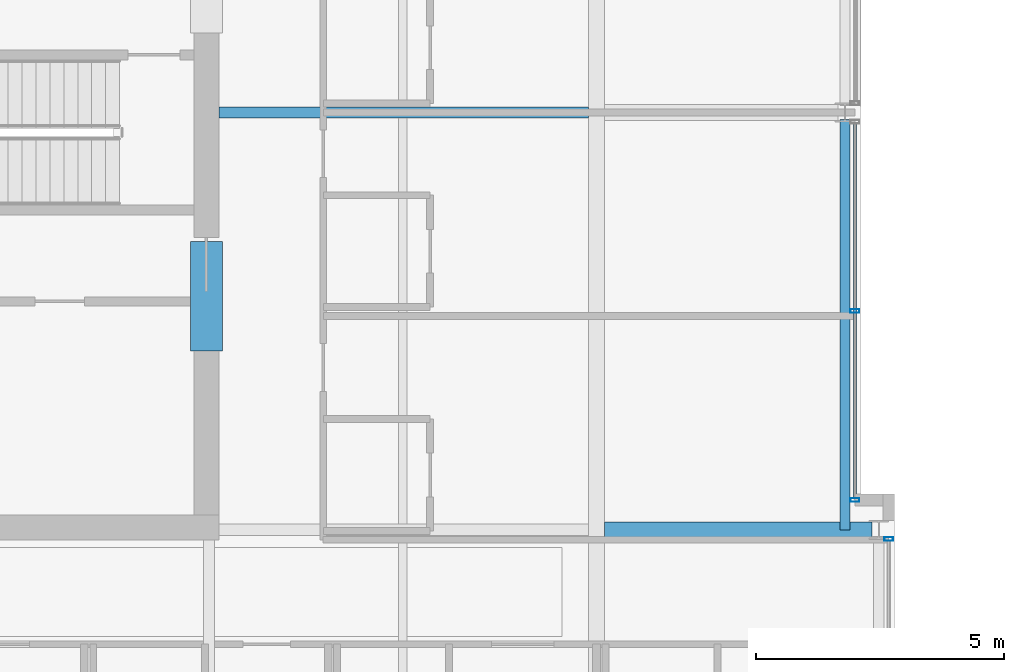
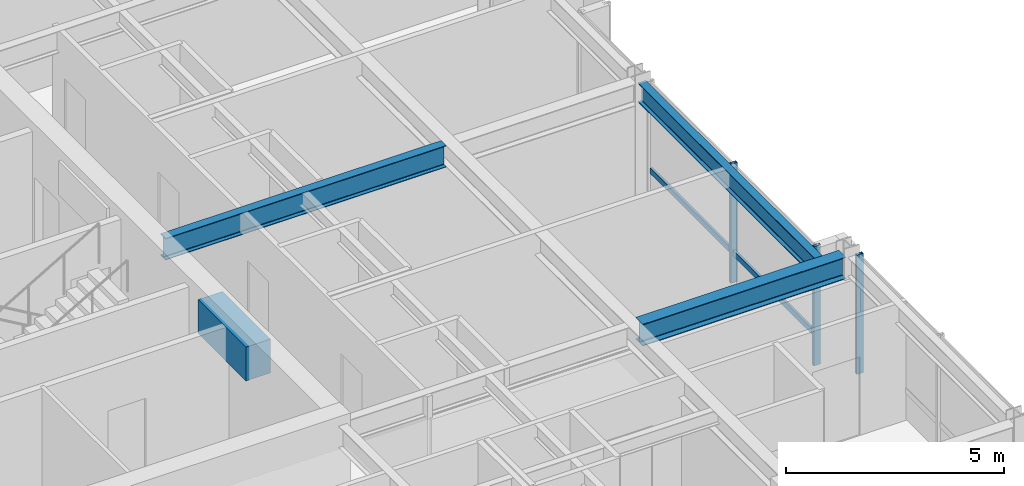
# One storey, part 13 of 32: 4 beams, 4 members, 2 elements without a shape of their own.
"""IFC4 building model written with IfcOpenShell, lengths in metres."""

from ifc_helpers import new_model, si_unit, direction, frame, origin, origin_2d, place, context, subcontext, project, spatial, rectangle, hollow_rectangle, i_section, extrude, material, layer, layer_set, material_profile, profile_set, type_object, element, aggregate, save


model = new_model("IFC4")

# Units and contexts
model_context = context("Model", 3, precision=1e-05, world=origin(), true_north=direction((0.0, 1.0)))
body_context = subcontext(model_context, "Body", "Model", "MODEL_VIEW")
ifc_project = project(units=[si_unit("LENGTHUNIT", "METRE"), si_unit("AREAUNIT", "SQUARE_METRE"), si_unit("VOLUMEUNIT", "CUBIC_METRE"), si_unit("PLANEANGLEUNIT", "RADIAN"), si_unit("MASSUNIT", "GRAM", prefix="KILO")], contexts=[model_context])

# Site, building, storey
site_placement = place(None, origin())
site = spatial("IfcSite", under=ifc_project, at=site_placement, CompositionType="ELEMENT")
building_placement = place(site_placement, origin())
building = spatial("IfcBuilding", under=site, at=building_placement, Name="Drelvath Grand Hotel", CompositionType="ELEMENT")
storey_placement = place(building_placement, frame((0.0, 0.0, 205.10009765625)))
storey = spatial("IfcBuildingStorey", under=building, at=storey_placement, Name="L53", CompositionType="ELEMENT", Elevation=205.10009765625)

# Beam
ifc_material_1 = material(Name="Concrete f'c 55 MPa", Category="concrete")
ifc_material_profile_1 = material_profile(ifc_material_1, rectangle(XDim=0.64990234375, YDim=0.949951171875, at=origin_2d()), Name="CB650X950")
ifc_profile_set_1 = profile_set([ifc_material_profile_1], Name="Concrete f'c 55 MPa")
beam_type_1 = type_object("IfcBeamType", Name="Core Coupling Lintel CB650X950", PredefinedType="LINTEL", material=ifc_profile_set_1)
beam_1_placement = place(storey_placement, frame((8.35009765625, 22.199951171875, 2.864990234375), z_axis=(0.0, 1.0, 0.0), x_axis=(-1.0, 0.0, 0.0)))
element("IfcBeam", 1, at=beam_1_placement, inside=storey, type_object=beam_type_1, Name="L53 Core Coupling Lintel ES", PredefinedType="LINTEL", context=body_context, shape_type="SweptSolid", body=[
    extrude(rectangle(XDim=0.64990234375, YDim=0.949951171875, at=origin_2d()), origin(), (0.0, 0.0, 1.0), 2.199951171875),
])

# Curtain wall, members
ifc_material_2 = material(Name="Platinum-Mist Anodised Aluminium Frame", Category="aluminium")
ifc_layer = layer(ifc_material_2, 0.199951171875)
ifc_layer_set = layer_set([ifc_layer], Name="Platinum-Mist Anodised Aluminium Frame")
curtain_wall_type = type_object("IfcCurtainWallType", Name="Stick Curtain Wall CW-05 Platinum Mist High-Rise", PredefinedType="NOTDEFINED", material=ifc_layer_set)
curtain_wall_1_placement = place(storey_placement, origin())
curtain_wall_1 = element("IfcCurtainWall", 2, at=curtain_wall_1_placement, inside=storey, type_object=curtain_wall_type, Name="L53 CW-05 Curtain Wall CW05-L53-EM1", PredefinedType="NOTDEFINED")
ifc_material_profile_2 = material_profile(ifc_material_2, hollow_rectangle(XDim=0.06494140625, YDim=0.159912109375, WallThickness=0.00390625, at=origin_2d()), Name="HSS160X65X4")
ifc_profile_set_2 = profile_set([ifc_material_profile_2], Name="Platinum-Mist Anodised Aluminium Frame")
member_type_1 = type_object("IfcMemberType", Name="Curtain Wall Horizontal Transom CW-05 HSS160X65X4", PredefinedType="USERDEFINED", material=ifc_profile_set_2)
member_1_placement = place(storey_placement, frame((21.39990234375, 26.774658203125, 0.8349609375), z_axis=(0.0, -1.0, 0.0), x_axis=(1.0, 0.0, 0.0)))
member_1 = element("IfcMember", 3, at=member_1_placement, type_object=member_type_1, Name="CW05-L53-EM1 Sill Transom", ObjectType="TRANSOM", PredefinedType="USERDEFINED", context=body_context, shape_type="SweptSolid", body=[
    extrude(hollow_rectangle(XDim=0.06494140625, YDim=0.159912109375, WallThickness=0.00390625, at=origin_2d()), origin(), (0.0, 0.0, 1.0), 7.53466796875),
])
ifc_material_profile_3 = material_profile(ifc_material_2, hollow_rectangle(XDim=0.074951171875, YDim=0.179931640625, WallThickness=0.0048828125, at=origin_2d()), Name="HSS180X75X5")
ifc_profile_set_3 = profile_set([ifc_material_profile_3], Name="Platinum-Mist Anodised Aluminium Frame")
member_type_2 = type_object("IfcMemberType", Name="Curtain Wall Vertical Mullion CW-05 HSS180X75X5", PredefinedType="MULLION", material=ifc_profile_set_3)
member_2_placement = place(storey_placement, frame((21.39990234375, 23.00732421875, 0.0), z_axis=(0.0, 0.0, 1.0), x_axis=(0.0, 1.0, 0.0)))
member_2 = element("IfcMember", 4, at=member_2_placement, type_object=member_type_2, Name="CW05-L53-EM1 Mullion 2", PredefinedType="MULLION", context=body_context, shape_type="SweptSolid", body=[
    extrude(hollow_rectangle(XDim=0.074951171875, YDim=0.179931640625, WallThickness=0.0048828125, at=origin_2d()), origin(), (0.0, 0.0, 1.0), 3.33984375),
])
member_3_placement = place(storey_placement, frame((21.39990234375, 19.199951171875, 0.0), z_axis=(0.0, 0.0, 1.0), x_axis=(0.0, 1.0, 0.0)))
member_3 = element("IfcMember", 5, at=member_3_placement, type_object=member_type_2, Name="CW05-L53-EM1 Mullion 3", PredefinedType="MULLION", context=body_context, shape_type="SweptSolid", body=[
    extrude(hollow_rectangle(XDim=0.074951171875, YDim=0.179931640625, WallThickness=0.0048828125, at=origin_2d()), origin(), (0.0, 0.0, 1.0), 3.33984375),
])
aggregate(curtain_wall_1, [member_2, member_3, member_1])

# Curtain wall, member
curtain_wall_2_placement = place(storey_placement, origin())
curtain_wall_2 = element("IfcCurtainWall", 6, at=curtain_wall_2_placement, inside=storey, type_object=curtain_wall_type, Name="L53 CW-05 Curtain Wall CW05-L53-ES2", PredefinedType="NOTDEFINED")
member_4_placement = place(storey_placement, frame((22.080078125, 18.414794921875, 0.0), z_axis=(0.0, 0.0, 1.0), x_axis=(0.0, 1.0, 0.0)))
member_4 = element("IfcMember", 7, at=member_4_placement, type_object=member_type_2, Name="CW05-L53-ES2 Mullion 1", PredefinedType="MULLION", context=body_context, shape_type="SweptSolid", body=[
    extrude(hollow_rectangle(XDim=0.074951171875, YDim=0.179931640625, WallThickness=0.0048828125, at=origin_2d()), origin(), (0.0, 0.0, 1.0), 3.33984375),
])
aggregate(curtain_wall_2, [member_4])

# Beams
ifc_material_3 = material(Name="Steel ASTM A992 Gr 50", Category="steel")
ifc_material_profile_4 = material_profile(ifc_material_3, i_section(OverallWidth=0.210205078125, OverallDepth=0.53662109375, WebThickness=0.010986328125, FlangeThickness=0.017333984375, FilletRadius=0.01806640625, at=origin_2d()), Name="W21X68")
ifc_profile_set_4 = profile_set([ifc_material_profile_4], Name="Steel ASTM A992 Gr 50")
beam_type_2 = type_object("IfcBeamType", Name="Perimeter Spandrel Beam W21X68", PredefinedType="SPANDREL", material=ifc_profile_set_4)
beam_2_placement = place(storey_placement, frame((21.199951171875, 18.60009765625, 3.071533203125), z_axis=(0.0, 1.0, 0.0), x_axis=(-1.0, 0.0, 0.0)))
element("IfcBeam", 8, at=beam_2_placement, inside=storey, type_object=beam_type_2, Name="L53 Spandrel East Mid S", PredefinedType="SPANDREL", context=body_context, shape_type="SweptSolid", body=[
    extrude(i_section(OverallWidth=0.210205078125, OverallDepth=0.53662109375, WebThickness=0.010986328125, FlangeThickness=0.017333984375, FilletRadius=0.01806640625, at=origin_2d()), origin(), (0.0, 0.0, 1.0), 8.260009765625),
])
ifc_material_profile_5 = material_profile(ifc_material_3, i_section(OverallWidth=0.323974609375, OverallDepth=0.611083984375, WebThickness=0.0126953125, FlangeThickness=0.01904296875, FilletRadius=0.02197265625, at=origin_2d()), Name="W24X104")
ifc_profile_set_5 = profile_set([ifc_material_profile_5], Name="Steel ASTM A992 Gr 50")
beam_type_3 = type_object("IfcBeamType", Name="Primary Floor Girder W24X104", PredefinedType="BEAM", material=ifc_profile_set_5)
beam_3_placement = place(storey_placement, frame((16.362060546875, 18.60009765625, 3.034423828125), z_axis=(1.0, 0.0, 0.0), x_axis=(0.0, 1.0, 0.0)))
element("IfcBeam", 9, at=beam_3_placement, inside=storey, type_object=beam_type_3, Name="L53 East Wing Girder D", PredefinedType="BEAM", context=body_context, shape_type="SweptSolid", body=[
    extrude(i_section(OverallWidth=0.323974609375, OverallDepth=0.611083984375, WebThickness=0.0126953125, FlangeThickness=0.01904296875, FilletRadius=0.02197265625, at=origin_2d()), origin(), (0.0, 0.0, 1.0), 5.3779296875),
])
ifc_material_profile_6 = material_profile(ifc_material_3, i_section(OverallWidth=0.228271484375, OverallDepth=0.607666015625, WebThickness=0.01123046875, FlangeThickness=0.017333984375, FilletRadius=0.02001953125, at=origin_2d()), Name="W24X76")
ifc_profile_set_6 = profile_set([ifc_material_profile_6], Name="Steel ASTM A992 Gr 50")
beam_type_4 = type_object("IfcBeamType", Name="Primary Floor Girder W24X76", PredefinedType="BEAM", material=ifc_profile_set_6)
beam_4_placement = place(storey_placement, frame((8.60009765625, 27.0, 3.0361328125), z_axis=(1.0, 0.0, 0.0), x_axis=(0.0, 1.0, 0.0)))
element("IfcBeam", 10, at=beam_4_placement, inside=storey, type_object=beam_type_4, Name="L53 East Core Tie E", PredefinedType="BEAM", context=body_context, shape_type="SweptSolid", body=[
    extrude(i_section(OverallWidth=0.228271484375, OverallDepth=0.607666015625, WebThickness=0.01123046875, FlangeThickness=0.017333984375, FilletRadius=0.02001953125, at=origin_2d()), origin(), (0.0, 0.0, 1.0), 7.43798828125),
])

save(model, "model.ifc")
